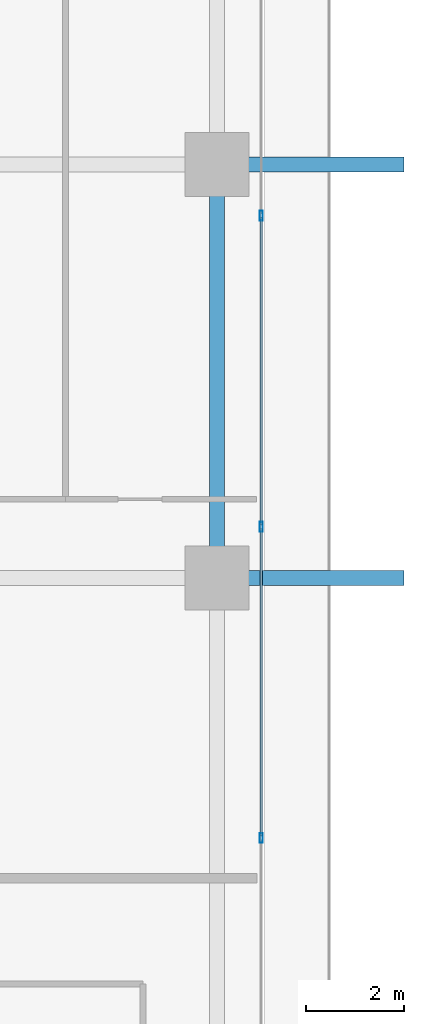
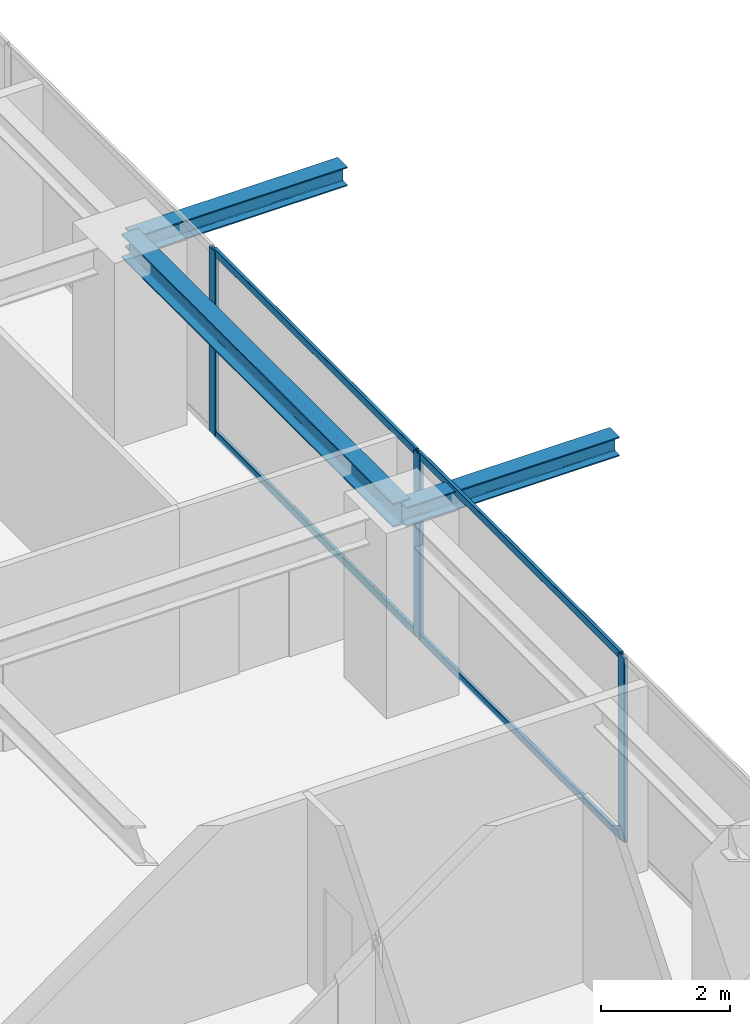
# One storey, part 15 of 35: 7 members, 3 beams, 1 element without a shape of its own.
"""IFC4 building model written with IfcOpenShell, lengths in metres."""

from ifc_helpers import new_model, si_unit, direction, frame, origin, origin_2d, place, context, subcontext, project, spatial, hollow_rectangle, i_section, extrude, source, transform, mapped, material, layer, layer_set, material_profile, profile_set, type_object, element, aggregate, save


model = new_model("IFC4")

# Units and contexts
model_context = context("Model", 3, precision=1e-05, world=origin(), true_north=direction((0.0, 1.0)))
body_context = subcontext(model_context, "Body", "Model", "MODEL_VIEW")
ifc_project = project(units=[si_unit("LENGTHUNIT", "METRE"), si_unit("AREAUNIT", "SQUARE_METRE"), si_unit("VOLUMEUNIT", "CUBIC_METRE"), si_unit("PLANEANGLEUNIT", "RADIAN"), si_unit("MASSUNIT", "GRAM", prefix="KILO")], contexts=[model_context])

# Site, building, storey
site_placement = place(None, origin())
site = spatial("IfcSite", under=ifc_project, at=site_placement, CompositionType="ELEMENT")
building_placement = place(site_placement, origin())
building = spatial("IfcBuilding", under=site, at=building_placement, Name="Serunith Strait Residences", CompositionType="ELEMENT")
storey_placement = place(building_placement, frame((0.0, 0.0, 172.64990234375)))
storey = spatial("IfcBuildingStorey", under=building, at=storey_placement, Name="L43", CompositionType="ELEMENT", Elevation=172.64990234375)

# Beams
ifc_material_1 = material(Name="Steel S355J2", Category="steel")
ifc_material_profile_1 = material_profile(ifc_material_1, i_section(OverallWidth=0.300048828125, OverallDepth=0.449951171875, WebThickness=0.013916015625, FlangeThickness=0.02587890625, FilletRadius=0.027099609375, at=origin_2d()), Name="HEB 450")
ifc_profile_set_1 = profile_set([ifc_material_profile_1], Name="Steel S355J2")
beam_type_1 = type_object("IfcBeamType", Name="BM-HEB450", PredefinedType="BEAM", material=ifc_profile_set_1)
shared_shape_1 = source(origin(), body_context, "Body", "SweptSolid", [
    extrude(i_section(OverallWidth=0.300048828125, OverallDepth=0.449951171875, WebThickness=0.013916015625, FlangeThickness=0.02587890625, FilletRadius=0.027099609375, at=origin_2d()), origin(), (0.0, 0.0, 1.0), 8.39990234375),
])
beam_placement = place(storey_placement, frame((56.10009765625, 21.0, 3.26220703125), z_axis=(0.0, 1.0, 0.0), x_axis=(-1.0, 0.0, 0.0)))
element("IfcBeam", 1, at=beam_placement, inside=storey, type_object=beam_type_1, Name="L43 Perimeter Ring Beam 06", PredefinedType="BEAM", context=body_context, shape_type="MappedRepresentation", body=[
    mapped(shared_shape_1, transform((0.0, 0.0, 0.0), scale=1.0)),
])
ifc_material_profile_2 = material_profile(ifc_material_1, i_section(OverallWidth=0.300048828125, OverallDepth=0.360107421875, WebThickness=0.012451171875, FlangeThickness=0.0224609375, FilletRadius=0.027099609375, at=origin_2d()), Name="HEB 360")
ifc_profile_set_2 = profile_set([ifc_material_profile_2], Name="Steel S355J2")
beam_type_2 = type_object("IfcBeamType", Name="BM-HEB360", PredefinedType="BEAM", material=ifc_profile_set_2)
shared_shape_2 = source(origin(), body_context, "Body", "SweptSolid", [
    extrude(i_section(OverallWidth=0.300048828125, OverallDepth=0.360107421875, WebThickness=0.012451171875, FlangeThickness=0.0224609375, FilletRadius=0.027099609375, at=origin_2d()), origin(), (0.0, 0.0, 1.0), 3.7998046875),
])
for number, where, z_axis, x_axis, name in (
    (2, (56.10009765625, 21.0, 3.277099609375), (1.0, 0.0, 0.0), (0.0, 1.0, 0.0), "L44 Cantilevered Balcony Rib TC-E2"),
    (3, (56.10009765625, 29.39990234375, 3.277099609375), (1.0, 0.0, 0.0), (0.0, 1.0, 0.0), "L44 Cantilevered Balcony Rib TC-E3"),
):
    element("IfcBeam", number, at=place(storey_placement, frame(where, z_axis=z_axis, x_axis=x_axis)), inside=storey, type_object=beam_type_2, Name=name, PredefinedType="BEAM", context=body_context, shape_type="MappedRepresentation", body=[
        mapped(shared_shape_2, transform((0.0, 0.0, 0.0), scale=1.0)),
    ])

# Curtain wall, members
ifc_material_2 = material(Name="Pale-Champagne Anodised Aluminium", Category="aluminium")
ifc_layer = layer(ifc_material_2, 0.199951171875, Name="Pale-Champagne Anodised Aluminium")
ifc_layer_set = layer_set([ifc_layer], Name="Pale-Champagne Anodised Aluminium")
curtain_wall_type = type_object("IfcCurtainWallType", Name="CW-SYS2", PredefinedType="NOTDEFINED", material=ifc_layer_set)
curtain_wall_placement = place(storey_placement, origin())
curtain_wall = element("IfcCurtainWall", 4, at=curtain_wall_placement, inside=storey, type_object=curtain_wall_type, Name="L43 E Unitised Fritted Curtain Wall", PredefinedType="NOTDEFINED")
ifc_material_profile_3 = material_profile(ifc_material_2, hollow_rectangle(XDim=0.070068359375, YDim=0.199951171875, WallThickness=0.00390625, InnerFilletRadius=0.006103515625, OuterFilletRadius=0.010009765625, at=origin_2d()), Name="ALU 200x70x4")
ifc_profile_set_3 = profile_set([ifc_material_profile_3], Name="Pale-Champagne Anodised Aluminium")
member_type_1 = type_object("IfcMemberType", Name="CW-SYS2-MULL", PredefinedType="MULLION", material=ifc_profile_set_3)
shared_shape_3 = source(origin(), body_context, "Body", "SweptSolid", [
    extrude(hollow_rectangle(XDim=0.070068359375, YDim=0.199951171875, WallThickness=0.00390625, InnerFilletRadius=0.006103515625, OuterFilletRadius=0.010009765625, at=origin_2d()), origin(), (0.0, 0.0, 1.0), 3.47509765625),
])
member_1_placement = place(storey_placement, frame((57.0, 15.719970703125, 0.0), z_axis=(0.0, 0.0, 1.0), x_axis=(-1.0, 0.0, 0.0)))
member_1 = element("IfcMember", 5, at=member_1_placement, type_object=member_type_1, Name="CW-2 mullion 2", PredefinedType="MULLION", context=body_context, shape_type="MappedRepresentation", body=[
    mapped(shared_shape_3, transform((0.0, 0.0, 0.0), scale=1.0)),
])
member_2_placement = place(storey_placement, frame((57.0, 22.0400390625, 0.0), z_axis=(0.0, 0.0, 1.0), x_axis=(-1.0, 0.0, 0.0)))
member_2 = element("IfcMember", 6, at=member_2_placement, type_object=member_type_1, Name="CW-2 mullion 3", PredefinedType="MULLION", context=body_context, shape_type="MappedRepresentation", body=[
    mapped(shared_shape_3, transform((0.0, 0.0, 0.0), scale=1.0)),
])
member_3_placement = place(storey_placement, frame((57.0, 28.360107421875, 0.0), z_axis=(0.0, 0.0, 1.0), x_axis=(-1.0, 0.0, 0.0)))
member_3 = element("IfcMember", 7, at=member_3_placement, type_object=member_type_1, Name="CW-2 mullion 4", PredefinedType="MULLION", context=body_context, shape_type="MappedRepresentation", body=[
    mapped(shared_shape_3, transform((0.0, 0.0, 0.0), scale=1.0)),
])
ifc_material_profile_4 = material_profile(ifc_material_2, hollow_rectangle(XDim=0.06005859375, YDim=0.139892578125, WallThickness=0.00341796875, InnerFilletRadius=0.00537109375, OuterFilletRadius=0.0087890625, at=origin_2d()), Name="ALU 140x60x3.5")
ifc_profile_set_4 = profile_set([ifc_material_profile_4], Name="Pale-Champagne Anodised Aluminium")
member_type_2 = type_object("IfcMemberType", Name="CW-SYS2-TRAN", PredefinedType="USERDEFINED", material=ifc_profile_set_4)
shared_shape_4 = source(origin(), body_context, "Body", "SweptSolid", [
    extrude(hollow_rectangle(XDim=0.06005859375, YDim=0.139892578125, WallThickness=0.00341796875, InnerFilletRadius=0.00537109375, OuterFilletRadius=0.0087890625, at=origin_2d()), origin(), (0.0, 0.0, 1.0), 6.25),
])
member_4_placement = place(storey_placement, frame((57.0, 15.7548828125, 0.030029296875), z_axis=(0.0, 1.0, 0.0), x_axis=(-1.0, 0.0, 0.0)))
member_4 = element("IfcMember", 8, at=member_4_placement, type_object=member_type_2, Name="CW-2 transom 2.1", ObjectType="TRANSOM", PredefinedType="USERDEFINED", context=body_context, shape_type="MappedRepresentation", body=[
    mapped(shared_shape_4, transform((0.0, 0.0, 0.0), scale=1.0)),
])
member_5_placement = place(storey_placement, frame((57.0, 15.7548828125, 3.445068359375), z_axis=(0.0, 1.0, 0.0), x_axis=(-1.0, 0.0, 0.0)))
member_5 = element("IfcMember", 9, at=member_5_placement, type_object=member_type_2, Name="CW-2 transom 2.2", ObjectType="TRANSOM", PredefinedType="USERDEFINED", context=body_context, shape_type="MappedRepresentation", body=[
    mapped(shared_shape_4, transform((0.0, 0.0, 0.0), scale=1.0)),
])
member_6_placement = place(storey_placement, frame((57.0, 22.074951171875, 0.030029296875), z_axis=(0.0, 1.0, 0.0), x_axis=(-1.0, 0.0, 0.0)))
member_6 = element("IfcMember", 10, at=member_6_placement, type_object=member_type_2, Name="CW-2 transom 3.1", ObjectType="TRANSOM", PredefinedType="USERDEFINED", context=body_context, shape_type="MappedRepresentation", body=[
    mapped(shared_shape_4, transform((0.0, 0.0, 0.0), scale=1.0)),
])
member_7_placement = place(storey_placement, frame((57.0, 22.074951171875, 3.445068359375), z_axis=(0.0, 1.0, 0.0), x_axis=(-1.0, 0.0, 0.0)))
member_7 = element("IfcMember", 11, at=member_7_placement, type_object=member_type_2, Name="CW-2 transom 3.2", ObjectType="TRANSOM", PredefinedType="USERDEFINED", context=body_context, shape_type="MappedRepresentation", body=[
    mapped(shared_shape_4, transform((0.0, 0.0, 0.0), scale=1.0)),
])
aggregate(curtain_wall, [member_1, member_2, member_3, member_4, member_5, member_6, member_7])

save(model, "model.ifc")
